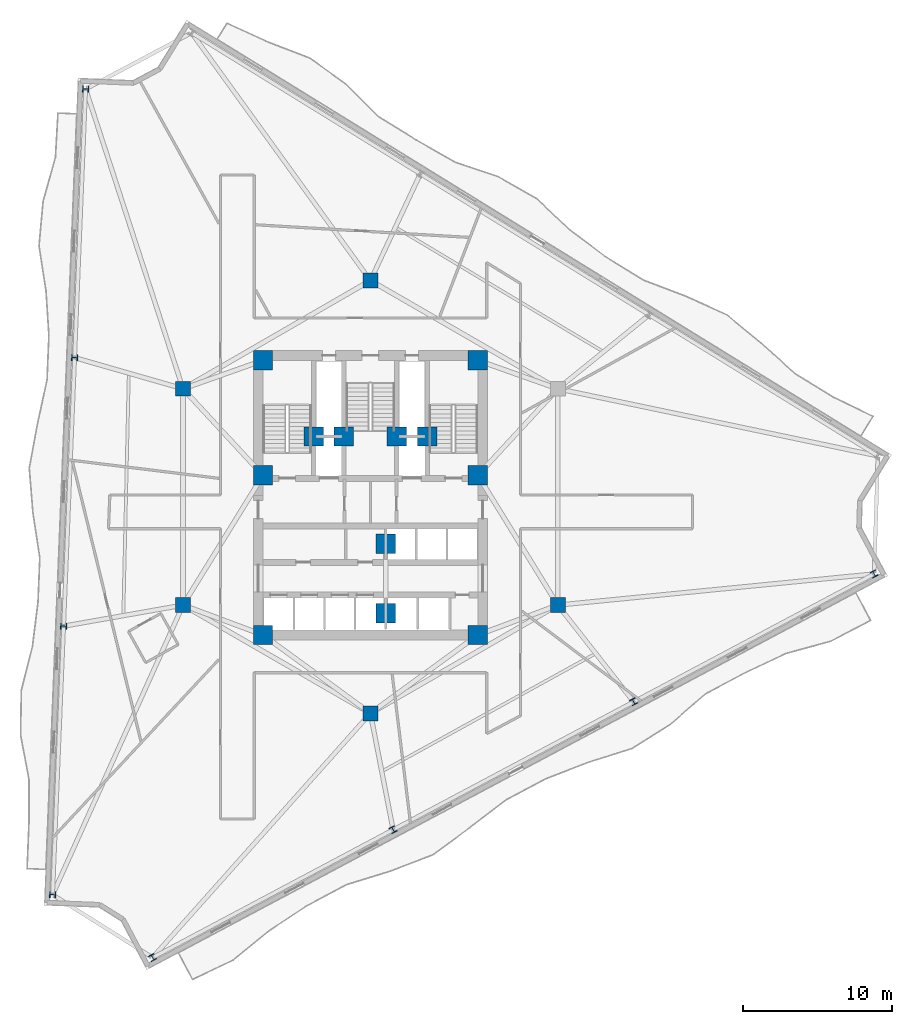
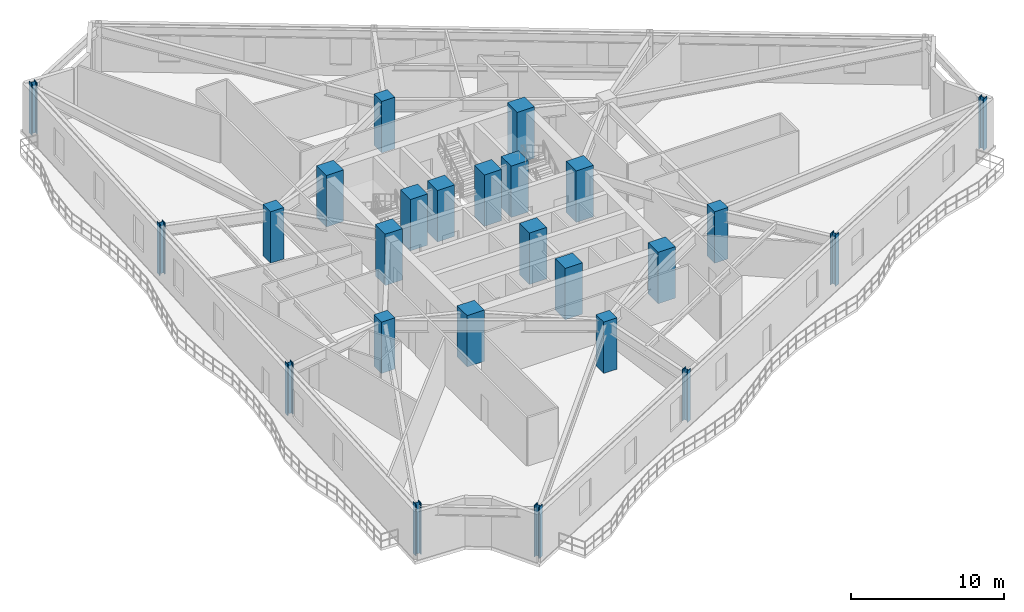
# One storey, part 1 of 12: 25 columns.
"""IFC4 building model written with IfcOpenShell, lengths in metres."""

from ifc_helpers import new_model, si_unit, direction, frame, origin, origin_2d, place, context, subcontext, project, spatial, rectangle, i_section, extrude, material, material_profile, profile_set, type_object, element, save


model = new_model("IFC4")

# Units and contexts
model_context = context("Model", 3, precision=1e-05, world=origin(), true_north=direction((0.0, 1.0)))
body_context = subcontext(model_context, "Body", "Model", "MODEL_VIEW")
ifc_project = project(units=[si_unit("LENGTHUNIT", "METRE"), si_unit("AREAUNIT", "SQUARE_METRE"), si_unit("VOLUMEUNIT", "CUBIC_METRE"), si_unit("PLANEANGLEUNIT", "RADIAN"), si_unit("MASSUNIT", "GRAM", prefix="KILO")], contexts=[model_context])

# Site, building, storey
site_placement = place(None, origin())
site = spatial("IfcSite", under=ifc_project, at=site_placement, CompositionType="ELEMENT")
building_placement = place(site_placement, origin())
building = spatial("IfcBuilding", under=site, at=building_placement, Name="Apsidion Concourse Tower", CompositionType="ELEMENT")
storey_placement = place(building_placement, frame((0.0, 0.0, 165.5)))
storey = spatial("IfcBuildingStorey", under=building, at=storey_placement, Name="L38", CompositionType="ELEMENT", Elevation=165.5)

# Columns
ifc_material_1 = material(Name="Concrete C50/60", Category="concrete")
ifc_material_profile_1 = material_profile(ifc_material_1, rectangle(XDim=1.0, YDim=1.0, at=origin_2d()), Name="RC 1000x1000")
ifc_profile_set_1 = profile_set([ifc_material_profile_1], Name="Concrete C50/60")
column_type_1 = type_object("IfcColumnType", Name="COL-RC-1000", PredefinedType="COLUMN", material=ifc_profile_set_1)
for number, where, z_axis, x_axis, name in (
    (1, (-12.56005859375, -7.25, 0.0), (0.0, 0.0, 1.0), (1.0, 0.0, 0.0), "L38 Interior Spine Column IC1"),
    (2, (12.56005859375, -7.25, 0.0), (0.0, 0.0, 1.0), (1.0, 0.0, 0.0), "L38 Interior Spine Column IC2"),
    (3, (0.0, 14.5, 0.0), (0.0, 0.0, 1.0), (1.0, 0.0, 0.0), "L38 Interior Spine Column IC4"),
    (4, (-12.56005859375, 7.25, 0.0), (0.0, 0.0, 1.0), (1.0, 0.0, 0.0), "L38 Interior Spine Column IC5"),
    (5, (0.0, -14.5, 0.0), (0.0, 0.0, 1.0), (1.0, 0.0, 0.0), "L38 Interior Spine Column IC6"),
):
    element("IfcColumn", number, at=place(storey_placement, frame(where, z_axis=z_axis, x_axis=x_axis)), inside=storey, type_object=column_type_1, Name=name, PredefinedType="COLUMN", context=body_context, shape_type="SweptSolid", body=[
        extrude(rectangle(XDim=1.0, YDim=1.0, at=origin_2d()), origin(), (0.0, 0.0, 1.0), 4.10009765625),
    ])
ifc_material_profile_2 = material_profile(ifc_material_1, rectangle(XDim=1.300048828125, YDim=1.300048828125, at=origin_2d()), Name="RC 1300x1300")
ifc_profile_set_2 = profile_set([ifc_material_profile_2], Name="Concrete C50/60")
column_type_2 = type_object("IfcColumnType", Name="COL-RC-1300", PredefinedType="COLUMN", material=ifc_profile_set_2)
for number, where, z_axis, x_axis, name in (
    (6, (-7.199951171875, -9.25, 0.0), (0.0, 0.0, 1.0), (1.0, 0.0, 0.0), "L38 Core Super-Column SC1"),
    (7, (7.199951171875, -9.25, 0.0), (0.0, 0.0, 1.0), (1.0, 0.0, 0.0), "L38 Core Super-Column SC2"),
    (8, (7.199951171875, 1.449951171875, 0.0), (0.0, 0.0, 1.0), (1.0, 0.0, 0.0), "L38 Core Super-Column SC3"),
    (9, (7.199951171875, 9.14990234375, 0.0), (0.0, 0.0, 1.0), (1.0, 0.0, 0.0), "L38 Core Super-Column SC4"),
    (10, (-7.199951171875, 9.14990234375, 0.0), (0.0, 0.0, 1.0), (1.0, 0.0, 0.0), "L38 Core Super-Column SC5"),
    (11, (-7.199951171875, 1.449951171875, 0.0), (0.0, 0.0, 1.0), (1.0, 0.0, 0.0), "L38 Core Super-Column SC6"),
    (12, (-3.800048828125, 4.050048828125, 0.0), (0.0, 0.0, 1.0), (1.0, 0.0, 0.0), "L38 Core Super-Column CC1"),
    (13, (3.800048828125, 4.050048828125, 0.0), (0.0, 0.0, 1.0), (1.0, 0.0, 0.0), "L38 Core Super-Column CC2"),
    (14, (-1.77490234375, 4.050048828125, 0.0), (0.0, 0.0, 1.0), (1.0, 0.0, 0.0), "L38 Core Super-Column CC3"),
    (15, (1.77490234375, 4.050048828125, 0.0), (0.0, 0.0, 1.0), (1.0, 0.0, 0.0), "L38 Core Super-Column CC4"),
    (16, (1.02490234375, -3.14990234375, 0.0), (0.0, 0.0, 1.0), (1.0, 0.0, 0.0), "L38 Core Super-Column CC5"),
    (17, (1.02490234375, -7.800048828125, 0.0), (0.0, 0.0, 1.0), (1.0, 0.0, 0.0), "L38 Core Super-Column CC6"),
):
    element("IfcColumn", number, at=place(storey_placement, frame(where, z_axis=z_axis, x_axis=x_axis)), inside=storey, type_object=column_type_2, Name=name, PredefinedType="COLUMN", context=body_context, shape_type="SweptSolid", body=[
        extrude(rectangle(XDim=1.300048828125, YDim=1.300048828125, at=origin_2d()), origin(), (0.0, 0.0, 1.0), 4.10009765625),
    ])
ifc_material_2 = material(Name="Structural steel ASTM A992 Grade 50", Category="steel")
ifc_material_profile_3 = material_profile(ifc_material_2, i_section(OverallWidth=0.406005859375, OverallDepth=0.4169921875, WebThickness=0.02978515625, FlangeThickness=0.048095703125, at=origin_2d()), Name="W14X257")
ifc_profile_set_3 = profile_set([ifc_material_profile_3], Name="Structural steel ASTM A992 Grade 50")
column_type_3 = type_object("IfcColumnType", Name="COL-W14-257", PredefinedType="COLUMN", material=ifc_profile_set_3)
for number, where, z_axis, x_axis, name in (
    (18, (-19.086181640625, 27.331298828125, 0.0), (0.0, 0.0, 1.0), (0.041003738744, 0.999158993058, 0.0), "L38 Rotated Perimeter Column PC01"),
    (19, (-19.82421875, 9.3349609375, 0.0), (0.0, 0.0, 1.0), (0.041003738744, 0.999158993058, 0.0), "L38 Rotated Perimeter Column PC02"),
    (20, (-20.56201171875, -8.661376953125, 0.0), (0.0, 0.0, 1.0), (0.041003738744, 0.999158993058, 0.0), "L38 Rotated Perimeter Column PC03"),
    (21, (-21.300048828125, -26.65771484375, 0.0), (0.0, 0.0, 1.0), (0.041003738744, 0.999158993058, 0.0), "L38 Rotated Perimeter Column PC04"),
    (22, (-14.599609375, -30.872802734375, 0.0), (0.0, 0.0, 1.0), (0.882947592859, 0.469471562786, 0.0), "L38 Rotated Perimeter Column PC05"),
    (23, (1.519775390625, -22.302001953125, 0.0), (0.0, 0.0, 1.0), (0.882947592859, 0.469471562786, 0.0), "L38 Rotated Perimeter Column PC06"),
    (24, (17.639404296875, -13.731201171875, 0.0), (0.0, 0.0, 1.0), (0.882947592859, 0.469471562786, 0.0), "L38 Rotated Perimeter Column PC07"),
    (25, (33.7587890625, -5.160400390625, 0.0), (0.0, 0.0, 1.0), (0.882947592859, 0.469471562786, 0.0), "L38 Rotated Perimeter Column PC08"),
):
    element("IfcColumn", number, at=place(storey_placement, frame(where, z_axis=z_axis, x_axis=x_axis)), inside=storey, type_object=column_type_3, Name=name, PredefinedType="COLUMN", context=body_context, shape_type="SweptSolid", body=[
        extrude(i_section(OverallWidth=0.406005859375, OverallDepth=0.4169921875, WebThickness=0.02978515625, FlangeThickness=0.048095703125, at=origin_2d()), origin(), (0.0, 0.0, 1.0), 4.10009765625),
    ])

save(model, "model.ifc")
